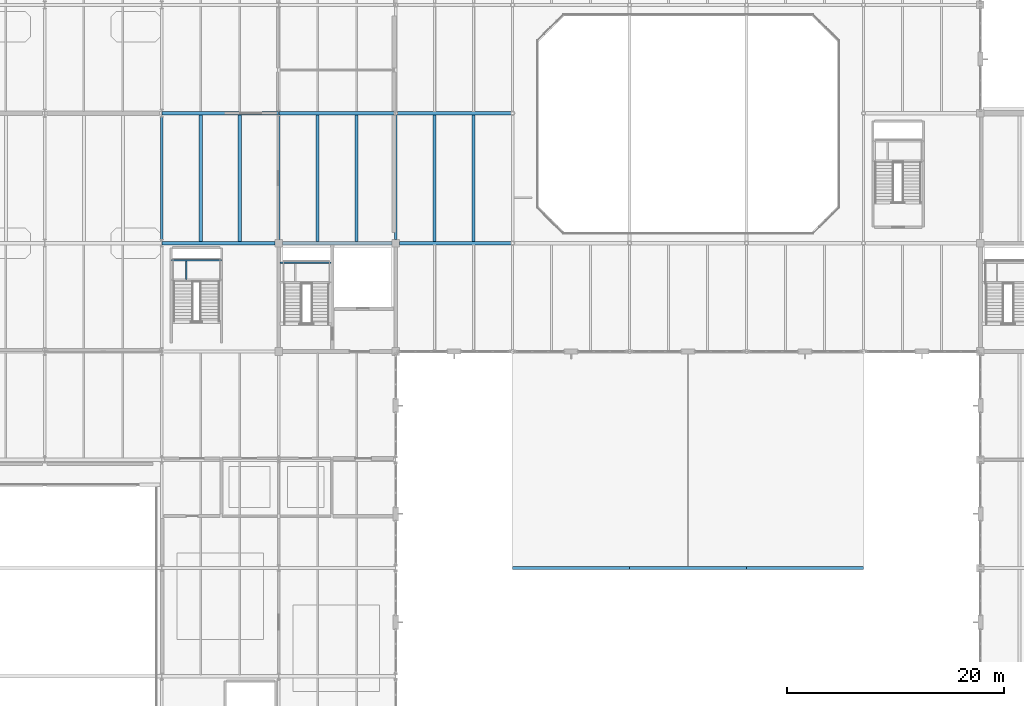
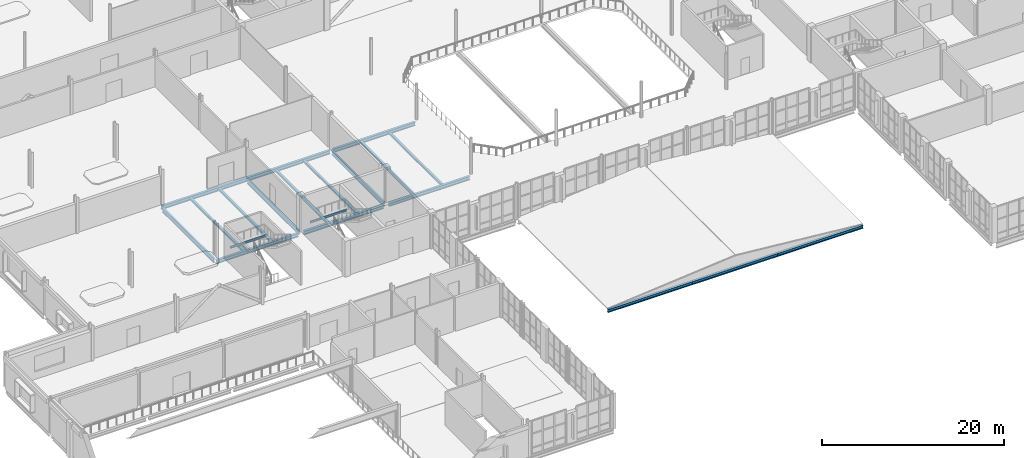
# One storey, part 26 of 92: 21 beams.
"""IFC4 building model written with IfcOpenShell, lengths in metres."""

from ifc_helpers import new_model, si_unit, direction, frame, origin, origin_2d, place, context, subcontext, project, spatial, i_section, extrude, material, material_profile, profile_set, type_object, element, save


model = new_model("IFC4")

# Units and contexts
model_context = context("Model", 3, precision=1e-05, world=origin(), true_north=direction((0.0, 1.0)))
body_context = subcontext(model_context, "Body", "Model", "MODEL_VIEW")
ifc_project = project(units=[si_unit("LENGTHUNIT", "METRE"), si_unit("AREAUNIT", "SQUARE_METRE"), si_unit("VOLUMEUNIT", "CUBIC_METRE"), si_unit("PLANEANGLEUNIT", "RADIAN"), si_unit("MASSUNIT", "GRAM", prefix="KILO")], contexts=[model_context])

# Site, building, storey
site_placement = place(None, origin())
site = spatial("IfcSite", under=ifc_project, at=site_placement, CompositionType="ELEMENT")
building_placement = place(site_placement, origin())
building = spatial("IfcBuilding", under=site, at=building_placement, Name="Tasgan Crest Museum", CompositionType="ELEMENT")
storey_placement = place(building_placement, frame((0.0, 0.0, 4.800048828125)))
storey = spatial("IfcBuildingStorey", under=building, at=storey_placement, Name="L01", CompositionType="ELEMENT", Elevation=4.800048828125)

# Beams
ifc_material_1 = material(Name="Steel S355J2", Category="steel")
ifc_material_profile_1 = material_profile(ifc_material_1, i_section(OverallWidth=0.300048828125, OverallDepth=0.43994140625, WebThickness=0.011474609375, FlangeThickness=0.02099609375, FilletRadius=0.027099609375, at=origin_2d()), Name="HEA 450")
ifc_profile_set_1 = profile_set([ifc_material_profile_1], Name="Steel S355J2")
beam_type_1 = type_object("IfcBeamType", Name="BM-G-HEA450", PredefinedType="BEAM", material=ifc_profile_set_1)
for number, where, z_axis, x_axis, name in (
    (1, (64.806640625, 20.0, -0.219970703125), (1.0, 0.0, 0.0), (0.0, 1.0, 0.0), "Porch south eave girder 64.8-75.6"),
    (2, (75.606689453125, 20.0, -0.219970703125), (1.0, 0.0, 0.0), (0.0, 1.0, 0.0), "Porch south eave girder 75.6-86.4"),
    (3, (86.40673828125, 20.0, -0.219970703125), (1.0, 0.0, 0.0), (0.0, 1.0, 0.0), "Porch south eave girder 86.4-97.2"),
):
    element("IfcBeam", number, at=place(storey_placement, frame(where, z_axis=z_axis, x_axis=x_axis)), inside=storey, type_object=beam_type_1, Name=name, PredefinedType="BEAM", context=body_context, shape_type="SweptSolid", body=[
        extrude(i_section(OverallWidth=0.300048828125, OverallDepth=0.43994140625, WebThickness=0.011474609375, FlangeThickness=0.02099609375, FilletRadius=0.027099609375, at=origin_2d()), origin(), (0.0, 0.0, 1.0), 10.78662109375),
    ])
ifc_material_2 = material(Name="Steel S355J2", Category="steel")
ifc_material_profile_2 = material_profile(ifc_material_2, i_section(OverallWidth=0.300048828125, OverallDepth=0.489990234375, WebThickness=0.011962890625, FlangeThickness=0.02294921875, FilletRadius=0.027099609375, at=origin_2d()), Name="HEA 500")
ifc_profile_set_2 = profile_set([ifc_material_profile_2], Name="Steel S355J2")
beam_type_2 = type_object("IfcBeamType", Name="BM-G-HEA500", PredefinedType="BEAM", material=ifc_profile_set_2)
beam_1_placement = place(storey_placement, frame((32.406494140625, 50.0, -0.505126953125), z_axis=(1.0, 0.0, 0.0), x_axis=(0.0, 1.0, 0.0)))
element("IfcBeam", 4, at=beam_1_placement, inside=storey, type_object=beam_type_2, Name="Girder L01 F 32.4-43.2", PredefinedType="BEAM", context=body_context, shape_type="SweptSolid", body=[
    extrude(i_section(OverallWidth=0.300048828125, OverallDepth=0.489990234375, WebThickness=0.011962890625, FlangeThickness=0.02294921875, FilletRadius=0.027099609375, at=origin_2d()), origin(), (0.0, 0.0, 1.0), 10.447509765625),
])
beam_2_placement = place(storey_placement, frame((43.5458984375, 50.0, -0.505126953125), z_axis=(1.0, 0.0, 0.0), x_axis=(0.0, 1.0, 0.0)))
element("IfcBeam", 5, at=beam_2_placement, inside=storey, type_object=beam_type_2, Name="Girder L01 F 43.2-54.0", PredefinedType="BEAM", context=body_context, shape_type="SweptSolid", body=[
    extrude(i_section(OverallWidth=0.300048828125, OverallDepth=0.489990234375, WebThickness=0.011962890625, FlangeThickness=0.02294921875, FilletRadius=0.027099609375, at=origin_2d()), origin(), (0.0, 0.0, 1.0), 10.108154296875),
])
beam_3_placement = place(storey_placement, frame((54.345947265625, 50.0, -0.485107421875), z_axis=(1.0, 0.0, 0.0), x_axis=(0.0, 1.0, 0.0)))
element("IfcBeam", 6, at=beam_3_placement, inside=storey, type_object=beam_type_2, Name="Girder L01 F 54.0-64.8", PredefinedType="BEAM", context=body_context, shape_type="SweptSolid", body=[
    extrude(i_section(OverallWidth=0.300048828125, OverallDepth=0.489990234375, WebThickness=0.011962890625, FlangeThickness=0.02294921875, FilletRadius=0.027099609375, at=origin_2d()), origin(), (0.0, 0.0, 1.0), 10.2802734375),
])
beam_4_placement = place(storey_placement, frame((32.406494140625, 62.0, -0.505126953125), z_axis=(1.0, 0.0, 0.0), x_axis=(0.0, 1.0, 0.0)))
element("IfcBeam", 7, at=beam_4_placement, inside=storey, type_object=beam_type_2, Name="Girder L01 G 32.4-43.2", PredefinedType="BEAM", context=body_context, shape_type="SweptSolid", body=[
    extrude(i_section(OverallWidth=0.300048828125, OverallDepth=0.489990234375, WebThickness=0.011962890625, FlangeThickness=0.02294921875, FilletRadius=0.027099609375, at=origin_2d()), origin(), (0.0, 0.0, 1.0), 10.787841796875),
])
beam_5_placement = place(storey_placement, frame((43.205810546875, 62.0, -0.505126953125), z_axis=(1.0, 0.0, 0.0), x_axis=(0.0, 1.0, 0.0)))
element("IfcBeam", 8, at=beam_5_placement, inside=storey, type_object=beam_type_2, Name="Girder L01 G 43.2-54.0", PredefinedType="BEAM", context=body_context, shape_type="SweptSolid", body=[
    extrude(i_section(OverallWidth=0.300048828125, OverallDepth=0.489990234375, WebThickness=0.011962890625, FlangeThickness=0.02294921875, FilletRadius=0.027099609375, at=origin_2d()), origin(), (0.0, 0.0, 1.0), 10.620361328125),
])
beam_6_placement = place(storey_placement, frame((54.173828125, 62.0, -0.485107421875), z_axis=(1.0, 0.0, 0.0), x_axis=(0.0, 1.0, 0.0)))
element("IfcBeam", 9, at=beam_6_placement, inside=storey, type_object=beam_type_2, Name="Girder L01 G 54.0-64.8", PredefinedType="BEAM", context=body_context, shape_type="SweptSolid", body=[
    extrude(i_section(OverallWidth=0.300048828125, OverallDepth=0.489990234375, WebThickness=0.011962890625, FlangeThickness=0.02294921875, FilletRadius=0.027099609375, at=origin_2d()), origin(), (0.0, 0.0, 1.0), 10.452392578125),
])
ifc_material_3 = material(Name="Steel S355J2", Category="steel")
ifc_material_profile_3 = material_profile(ifc_material_3, i_section(OverallWidth=0.219970703125, OverallDepth=0.60009765625, WebThickness=0.011962890625, FlangeThickness=0.01904296875, FilletRadius=0.02392578125, at=origin_2d()), Name="IPE 600")
ifc_profile_set_3 = profile_set([ifc_material_profile_3], Name="Steel S355J2")
beam_type_3 = type_object("IfcBeamType", Name="BM-G-IPE600", PredefinedType="BEAM", material=ifc_profile_set_3)
beam_7_placement = place(storey_placement, frame((32.39990234375, 50.344970703125, -0.56005859375), z_axis=(0.0, 1.0, 0.0), x_axis=(-1.0, 0.0, 0.0)))
element("IfcBeam", 10, at=beam_7_placement, inside=storey, type_object=beam_type_3, Name="Beam L01 4 50.0-62.0", PredefinedType="BEAM", context=body_context, shape_type="SweptSolid", body=[
    extrude(i_section(OverallWidth=0.219970703125, OverallDepth=0.60009765625, WebThickness=0.011962890625, FlangeThickness=0.01904296875, FilletRadius=0.02392578125, at=origin_2d()), origin(), (0.0, 0.0, 1.0), 11.31005859375),
])
beam_8_placement = place(storey_placement, frame((43.199951171875, 50.344970703125, -0.56005859375), z_axis=(0.0, 1.0, 0.0), x_axis=(-1.0, 0.0, 0.0)))
element("IfcBeam", 11, at=beam_8_placement, inside=storey, type_object=beam_type_3, Name="Beam L01 5 50.0-62.0", PredefinedType="BEAM", context=body_context, shape_type="SweptSolid", body=[
    extrude(i_section(OverallWidth=0.219970703125, OverallDepth=0.60009765625, WebThickness=0.011962890625, FlangeThickness=0.01904296875, FilletRadius=0.02392578125, at=origin_2d()), origin(), (0.0, 0.0, 1.0), 11.360107421875),
])
beam_9_placement = place(storey_placement, frame((54.0, 50.344970703125, -0.56005859375), z_axis=(0.0, 1.0, 0.0), x_axis=(-1.0, 0.0, 0.0)))
element("IfcBeam", 12, at=beam_9_placement, inside=storey, type_object=beam_type_3, Name="Beam L01 6 50.0-62.0", PredefinedType="BEAM", context=body_context, shape_type="SweptSolid", body=[
    extrude(i_section(OverallWidth=0.219970703125, OverallDepth=0.60009765625, WebThickness=0.011962890625, FlangeThickness=0.01904296875, FilletRadius=0.02392578125, at=origin_2d()), origin(), (0.0, 0.0, 1.0), 11.482177734375),
])
ifc_material_4 = material(Name="Steel S355J2", Category="steel")
ifc_material_profile_4 = material_profile(ifc_material_4, i_section(OverallWidth=0.280029296875, OverallDepth=0.27001953125, WebThickness=0.008056640625, FlangeThickness=0.012939453125, FilletRadius=0.02392578125, at=origin_2d()), Name="HEA 280")
ifc_profile_set_4 = profile_set([ifc_material_profile_4], Name="Steel S355J2")
beam_type_4 = type_object("IfcBeamType", Name="BM-J-HEA280", PredefinedType="JOIST", material=ifc_profile_set_4)
for number, where, z_axis, x_axis, name in (
    (13, (36.0, 50.14501953125, -0.39501953125), (0.0, 1.0, 0.0), (-1.0, 0.0, 0.0), "Secondary joist L01 X=36.0 Y=50.0-62.0"),
    (14, (39.60009765625, 50.14501953125, -0.39501953125), (0.0, 1.0, 0.0), (-1.0, 0.0, 0.0), "Secondary joist L01 X=39.6 Y=50.0-62.0"),
    (15, (46.800048828125, 50.14501953125, -0.39501953125), (0.0, 1.0, 0.0), (-1.0, 0.0, 0.0), "Secondary joist L01 X=46.8 Y=50.0-62.0"),
    (16, (50.39990234375, 50.14501953125, -0.39501953125), (0.0, 1.0, 0.0), (-1.0, 0.0, 0.0), "Secondary joist L01 X=50.4 Y=50.0-62.0"),
    (17, (57.60009765625, 50.14501953125, -0.375), (0.0, 1.0, 0.0), (-1.0, 0.0, 0.0), "Secondary joist L01 X=57.6 Y=50.0-62.0"),
    (18, (61.199951171875, 50.14501953125, -0.375), (0.0, 1.0, 0.0), (-1.0, 0.0, 0.0), "Secondary joist L01 X=61.2 Y=50.0-62.0"),
):
    element("IfcBeam", number, at=place(storey_placement, frame(where, z_axis=z_axis, x_axis=x_axis)), inside=storey, type_object=beam_type_4, Name=name, PredefinedType="JOIST", context=body_context, shape_type="SweptSolid", body=[
        extrude(i_section(OverallWidth=0.280029296875, OverallDepth=0.27001953125, WebThickness=0.008056640625, FlangeThickness=0.012939453125, FilletRadius=0.02392578125, at=origin_2d()), origin(), (0.0, 0.0, 1.0), 11.7099609375),
    ])
ifc_material_5 = material(Name="Steel S355J2", Category="steel")
ifc_material_profile_5 = material_profile(ifc_material_5, i_section(OverallWidth=0.1201171875, OverallDepth=0.239990234375, WebThickness=0.006103515625, FlangeThickness=0.009765625, FilletRadius=0.014892578125, at=origin_2d()), Name="IPE 240")
ifc_profile_set_5 = profile_set([ifc_material_profile_5], Name="Steel S355J2")
beam_type_5 = type_object("IfcBeamType", Name="BM-LAND-IPE240", PredefinedType="BEAM", material=ifc_profile_set_5)
beam_10_placement = place(storey_placement, frame((34.64990234375, 46.6650390625, 2.079833984375), z_axis=(0.0, 1.0, 0.0), x_axis=(-1.0, 0.0, 0.0)))
element("IfcBeam", 19, at=beam_10_placement, inside=storey, type_object=beam_type_5, Name="Stair half-landing crossbeam ST-GP-L01 T1", PredefinedType="BEAM", context=body_context, shape_type="SweptSolid", body=[
    extrude(i_section(OverallWidth=0.1201171875, OverallDepth=0.239990234375, WebThickness=0.006103515625, FlangeThickness=0.009765625, FilletRadius=0.014892578125, at=origin_2d()), origin(), (0.0, 0.0, 1.0), 1.679931640625),
])
ifc_material_6 = material(Name="Steel S355J2", Category="steel")
ifc_material_profile_6 = material_profile(ifc_material_6, i_section(OverallWidth=0.135009765625, OverallDepth=0.27001953125, WebThickness=0.006591796875, FlangeThickness=0.01025390625, FilletRadius=0.014892578125, at=origin_2d()), Name="IPE 270")
ifc_profile_set_6 = profile_set([ifc_material_profile_6], Name="Steel S355J2")
beam_type_6 = type_object("IfcBeamType", Name="BM-LAND-IPE270", PredefinedType="BEAM", material=ifc_profile_set_6)
beam_11_placement = place(storey_placement, frame((43.330078125, 48.205078125, 2.06494140625), z_axis=(1.0, 0.0, 0.0), x_axis=(0.0, 1.0, 0.0)))
element("IfcBeam", 20, at=beam_11_placement, inside=storey, type_object=beam_type_6, Name="Stair half-landing beam ST-SW-L01 T1B", PredefinedType="BEAM", context=body_context, shape_type="SweptSolid", body=[
    extrude(i_section(OverallWidth=0.135009765625, OverallDepth=0.27001953125, WebThickness=0.006591796875, FlangeThickness=0.01025390625, FilletRadius=0.014892578125, at=origin_2d()), origin(), (0.0, 0.0, 1.0), 4.68994140625),
])
beam_12_placement = place(storey_placement, frame((33.280029296875, 48.405029296875, 2.06494140625), z_axis=(1.0, 0.0, 0.0), x_axis=(0.0, 1.0, 0.0)))
element("IfcBeam", 21, at=beam_12_placement, inside=storey, type_object=beam_type_6, Name="Stair half-landing beam ST-GP-L01 T1B", PredefinedType="BEAM", context=body_context, shape_type="SweptSolid", body=[
    extrude(i_section(OverallWidth=0.135009765625, OverallDepth=0.27001953125, WebThickness=0.006591796875, FlangeThickness=0.01025390625, FilletRadius=0.014892578125, at=origin_2d()), origin(), (0.0, 0.0, 1.0), 4.639892578125),
])

save(model, "model.ifc")
